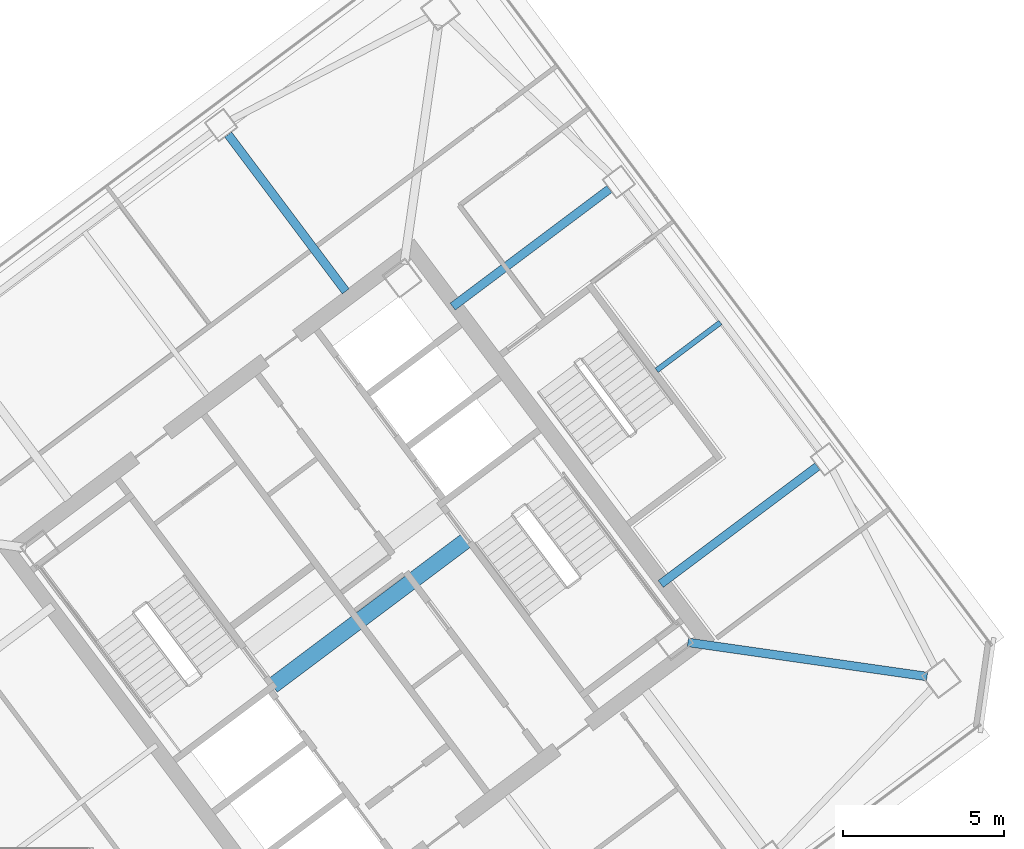
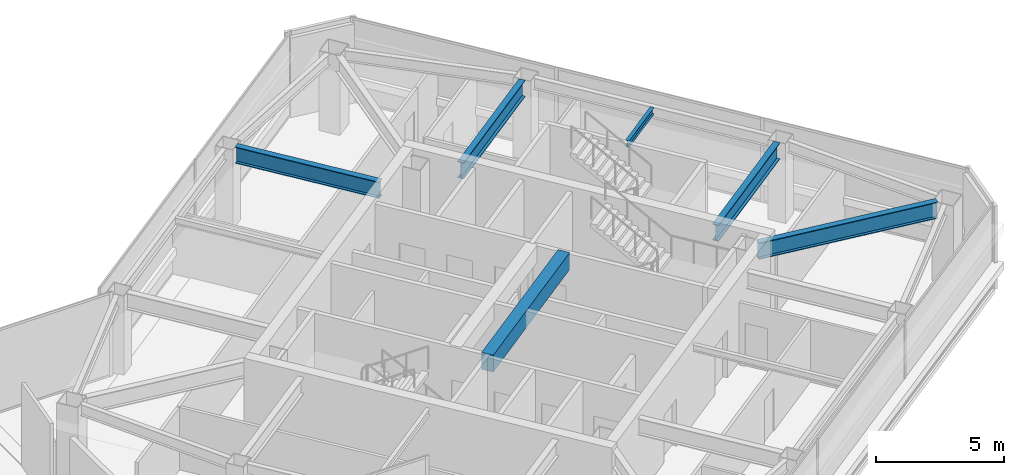
# One storey, part 33 of 51: 6 beams.
"""IFC4 building model written with IfcOpenShell, lengths in metres."""

from ifc_helpers import new_model, si_unit, direction, frame, origin, origin_2d, place, context, subcontext, project, spatial, rectangle, i_section, extrude, material, material_profile, profile_set, type_object, element, save


model = new_model("IFC4")

# Units and contexts
model_context = context("Model", 3, precision=1e-05, world=origin(), true_north=direction((0.0, 1.0)))
body_context = subcontext(model_context, "Body", "Model", "MODEL_VIEW")
ifc_project = project(units=[si_unit("LENGTHUNIT", "METRE"), si_unit("AREAUNIT", "SQUARE_METRE"), si_unit("VOLUMEUNIT", "CUBIC_METRE"), si_unit("PLANEANGLEUNIT", "RADIAN"), si_unit("MASSUNIT", "GRAM", prefix="KILO")], contexts=[model_context])

# Site, building, storey
site_placement = place(None, origin())
site = spatial("IfcSite", under=ifc_project, at=site_placement, CompositionType="ELEMENT")
building_placement = place(site_placement, origin())
building = spatial("IfcBuilding", under=site, at=building_placement, Name="Tashvorn Skyway Center", CompositionType="ELEMENT")
storey_placement = place(building_placement, frame((0.0, 0.0, 251.39990234375)))
storey = spatial("IfcBuildingStorey", under=building, at=storey_placement, Name="L68", CompositionType="ELEMENT", Elevation=251.39990234375)

# Beams
ifc_material_1 = material(Name="Steel ASTM A992 Grade 50", Category="steel")
ifc_material_profile_1 = material_profile(ifc_material_1, i_section(OverallWidth=0.26708984375, OverallDepth=0.779052734375, WebThickness=0.0166015625, FlangeThickness=0.030029296875, at=origin_2d()), Name="W30X148")
ifc_profile_set_1 = profile_set([ifc_material_profile_1], Name="Steel ASTM A992 Grade 50")
beam_type_1 = type_object("IfcBeamType", Name="BM-BEAM-W30X148", PredefinedType="BEAM", material=ifc_profile_set_1)
beam_1_placement = place(storey_placement, frame((131.759521484375, 29.462890625, 3.390625), z_axis=(-0.989948195795, 0.141430441004, 0.0), x_axis=(-0.141430441004, -0.989948195795, 0.0)))
element("IfcBeam", 1, at=beam_1_placement, inside=storey, type_object=beam_type_1, Name="Tower 2 L68 Primary Floor Girder MC-SE", PredefinedType="BEAM", context=body_context, shape_type="SweptSolid", body=[
    extrude(i_section(OverallWidth=0.26708984375, OverallDepth=0.779052734375, WebThickness=0.0166015625, FlangeThickness=0.030029296875, at=origin_2d()), origin(), (0.0, 0.0, 1.0), 7.524658203125),
])
for number, where, z_axis, x_axis, name in (
    (2, (128.343994140625, 36.008056640625, 3.390625), (-0.799980788524, -0.600025614447, 0.0), (0.600025614447, -0.799980788524, 0.0), "Tower 2 L68 Primary Floor Girder FC-E1"),
    (3, (121.864013671875, 44.64794921875, 3.390625), (-0.800014407953, -0.599980788915, 0.0), (0.599980788915, -0.800014407953, 0.0), "Tower 2 L68 Primary Floor Girder FC-E2"),
    (4, (109.991943359375, 46.343994140625, 3.390625), (0.600025614447, -0.799980788524, 0.0), (0.799980788524, 0.600025614447, 0.0), "Tower 2 L68 Primary Floor Girder FC-N1"),
):
    element("IfcBeam", number, at=place(storey_placement, frame(where, z_axis=z_axis, x_axis=x_axis)), inside=storey, type_object=beam_type_1, Name=name, PredefinedType="BEAM", context=body_context, shape_type="SweptSolid", body=[
        extrude(i_section(OverallWidth=0.26708984375, OverallDepth=0.779052734375, WebThickness=0.0166015625, FlangeThickness=0.030029296875, at=origin_2d()), origin(), (0.0, 0.0, 1.0), 6.10009765625),
    ])
ifc_material_profile_2 = material_profile(ifc_material_1, i_section(OverallWidth=0.1650390625, OverallDepth=0.31005859375, WebThickness=0.005859375, FlangeThickness=0.009765625, at=origin_2d()), Name="W12X26")
ifc_profile_set_2 = profile_set([ifc_material_profile_2], Name="Steel ASTM A992 Grade 50")
beam_type_2 = type_object("IfcBeamType", Name="BM-JOIST-W12X26", PredefinedType="JOIST", material=ifc_profile_set_2)
beam_2_placement = place(storey_placement, frame((123.3359375, 39.001953125, 3.625), z_axis=(0.80001180088, 0.599984265171, 0.0), x_axis=(-0.599984265171, 0.80001180088, 0.0)))
element("IfcBeam", 5, at=beam_2_placement, inside=storey, type_object=beam_type_2, Name="Tower 2 L68 Secondary Composite Joist JE", PredefinedType="JOIST", context=body_context, shape_type="SweptSolid", body=[
    extrude(i_section(OverallWidth=0.1650390625, OverallDepth=0.31005859375, WebThickness=0.005859375, FlangeThickness=0.009765625, at=origin_2d()), origin(), (0.0, 0.0, 1.0), 2.482666015625),
])
ifc_material_2 = material(Name="Concrete C50/60", Category="concrete")
ifc_material_profile_3 = material_profile(ifc_material_2, rectangle(XDim=0.5, YDim=0.800048828125, at=origin_2d()), Name="RCB500x800")
ifc_profile_set_3 = profile_set([ifc_material_profile_3], Name="Concrete C50/60")
beam_type_3 = type_object("IfcBeamType", Name="BM-LINTEL-RCB500x800", PredefinedType="LINTEL", material=ifc_profile_set_3)
beam_3_placement = place(storey_placement, frame((111.367919921875, 29.176025390625, 3.380126953125), z_axis=(0.8, 0.6, 0.0), x_axis=(-0.6, 0.8, 0.0)))
element("IfcBeam", 6, at=beam_3_placement, inside=storey, type_object=beam_type_3, Name="Tower 2 L68 Core Coupling Beam CS", PredefinedType="LINTEL", context=body_context, shape_type="SweptSolid", body=[
    extrude(rectangle(XDim=0.5, YDim=0.800048828125, at=origin_2d()), origin(), (0.0, 0.0, 1.0), 7.60009765625),
])

save(model, "model.ifc")
